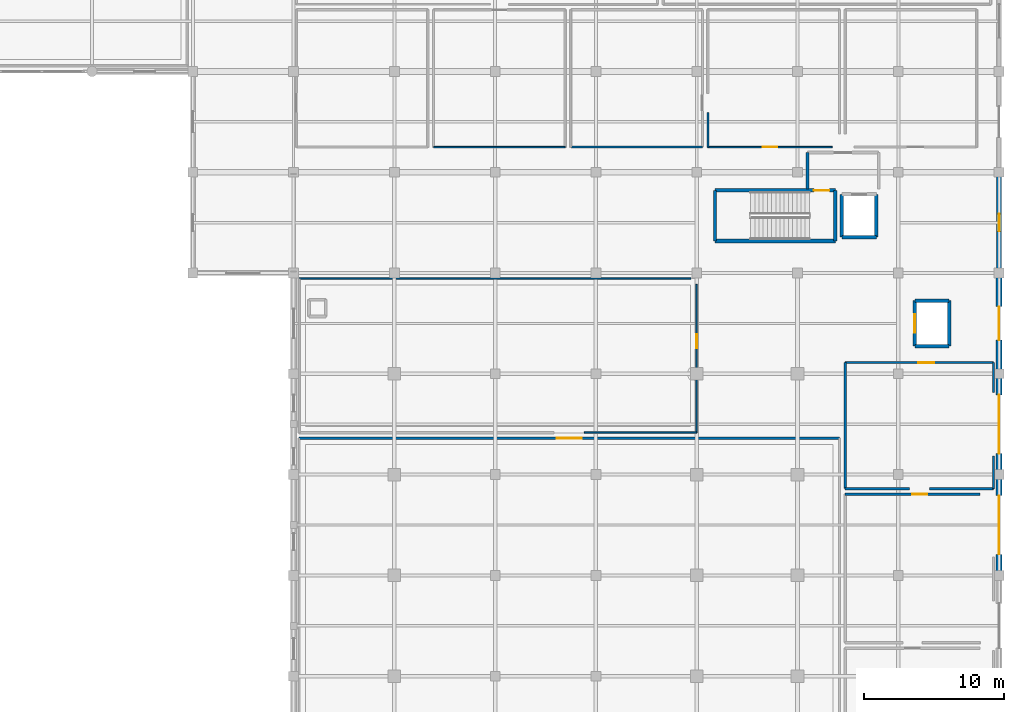
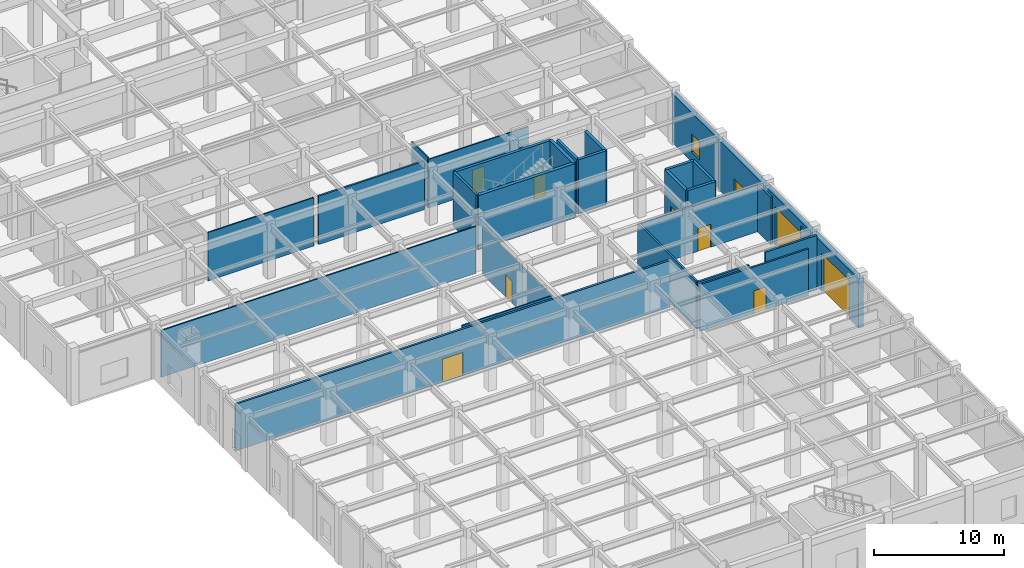
# One storey, part 81 of 102: 31 walls, 10 doors, 1 window, 11 openings.
"""IFC4 building model written with IfcOpenShell, lengths in metres."""

from ifc_helpers import new_model, si_unit, direction, frame, frame_2d, origin, place, context, subcontext, project, spatial, rectangle, extrude, material, layer, layer_set, type_object, element, fill, save


model = new_model("IFC4")

# Units and contexts
model_context = context("Model", 3, precision=1e-05, world=origin(), true_north=direction((0.0, 1.0)))
body_context = subcontext(model_context, "Body", "Model", "MODEL_VIEW")
ifc_project = project(units=[si_unit("LENGTHUNIT", "METRE"), si_unit("AREAUNIT", "SQUARE_METRE"), si_unit("VOLUMEUNIT", "CUBIC_METRE"), si_unit("PLANEANGLEUNIT", "RADIAN"), si_unit("MASSUNIT", "GRAM", prefix="KILO")], contexts=[model_context])

# Site, building, storey
site_placement = place(None, origin())
site = spatial("IfcSite", under=ifc_project, at=site_placement, CompositionType="ELEMENT")
building_placement = place(site_placement, origin())
building = spatial("IfcBuilding", under=site, at=building_placement, Name="Carrowvane Square Congress Hotel", CompositionType="ELEMENT")
storey_placement = place(building_placement, origin())
storey = spatial("IfcBuildingStorey", under=building, at=storey_placement, Name="L00", CompositionType="ELEMENT", Elevation=0.0)

# Wall, opening, door
ifc_material_1 = material(Name="Portland limestone cladding", Category="masonry")
ifc_layer_1 = layer(ifc_material_1, 0.419921875)
ifc_layer_set_1 = layer_set([ifc_layer_1], Name="Portland limestone cladding")
wall_type_1 = type_object("IfcWallType", Name="WL-EXT-LS420", PredefinedType="STANDARD", material=ifc_layer_set_1)
wall_1_placement = place(storey_placement, frame((184.39990234375, 55.800048828125, 0.0), z_axis=(0.0, 0.0, 1.0), x_axis=(0.0, -1.0, 0.0)))
wall_1 = element("IfcWall", 1, at=wall_1_placement, inside=storey, type_object=wall_type_1, Name="L00 exterior facade wall 165", PredefinedType="STANDARD", context=body_context, shape_type="SweptSolid", body=[
    extrude(rectangle(XDim=7.199951171875, YDim=0.419921875, at=frame_2d((3.60009765625, 0.0))), origin(), (0.0, 0.0, 1.0), 4.625),
])
opening_1_placement = place(wall_1_placement, frame((2.39990234375, 0.0, 0.0)))
opening_1 = element("IfcOpeningElement", 2, at=opening_1_placement, cuts=wall_1, Name="Opening ED-3", PredefinedType="OPENING", context=body_context, shape_type="SweptSolid", body=[
    extrude(rectangle(XDim=2.39990234375, YDim=2.39990234375, at=frame_2d((1.199951171875, 1.199951171875))), frame((0.0, 0.219970703125, 0.0), z_axis=(0.0, -1.0, 0.0), x_axis=(1.0, 0.0, 0.0)), (0.0, 0.0, 1.0), 0.43994140625),
])
ifc_material_2 = material(Name="Anodised aluminium", Category="aluminium")
door_type_1 = type_object("IfcDoorType", Name="DR-EXIT-2400", OperationType="DOUBLE_DOOR_SINGLE_SWING", PredefinedType="DOOR", material=ifc_material_2)
door_1_placement = place(opening_1_placement, origin())
door_1 = element("IfcDoor", 3, at=door_1_placement, inside=storey, type_object=door_type_1, Name="L00 final exit door ED-20", OperationType="DOUBLE_DOOR_SINGLE_SWING", OverallHeight=2.39990234375, OverallWidth=2.39990234375, PredefinedType="DOOR", context=body_context, shape_type="SweptSolid", body=[
    extrude(rectangle(XDim=2.39990234375, YDim=2.39990234375, at=frame_2d((1.199951171875, 1.199951171875))), frame((0.0, 0.02490234375, 0.0), z_axis=(0.0, -1.0, 0.0), x_axis=(1.0, 0.0, 0.0)), (0.0, 0.0, 1.0), 0.050048828125),
])
fill(opening_1, door_1)

wall_2_placement = place(storey_placement, frame((184.39990234375, 48.60009765625, 0.0), z_axis=(0.0, 0.0, 1.0), x_axis=(0.0, -1.0, 0.0)))
wall_2 = element("IfcWall", 4, at=wall_2_placement, inside=storey, type_object=wall_type_1, Name="L00 exterior facade wall 166", PredefinedType="STANDARD", context=body_context, shape_type="SweptSolid", body=[
    extrude(rectangle(XDim=7.2001953125, YDim=0.419921875, at=frame_2d((3.60009765625, 0.0))), origin(), (0.0, 0.0, 1.0), 4.625),
])
opening_2_placement = place(wall_2_placement, frame((1.5, 0.0, 0.0)))
opening_2 = element("IfcOpeningElement", 5, at=opening_2_placement, cuts=wall_2, Name="Opening VG-2", PredefinedType="OPENING", context=body_context, shape_type="SweptSolid", body=[
    extrude(rectangle(XDim=4.199951171875, YDim=3.60009765625, at=frame_2d((2.10009765625, 1.800048828125))), frame((0.0, 0.219970703125, 0.0), z_axis=(0.0, -1.0, 0.0), x_axis=(1.0, 0.0, 0.0)), (0.0, 0.0, 1.0), 0.43994140625),
])
ifc_material_3 = material(Name="Galvanised steel", Category="steel")
door_type_2 = type_object("IfcDoorType", Name="DR-GATE-4200", OperationType="ROLLINGUP", PredefinedType="GATE", material=ifc_material_3)
door_2_placement = place(opening_2_placement, origin())
door_2 = element("IfcDoor", 6, at=door_2_placement, inside=storey, type_object=door_type_2, Name="L00 goods service shutter 2", OperationType="ROLLINGUP", OverallHeight=3.60009765625, OverallWidth=4.199951171875, PredefinedType="GATE", context=body_context, shape_type="SweptSolid", body=[
    extrude(rectangle(XDim=4.199951171875, YDim=3.60009765625, at=frame_2d((2.10009765625, 1.800048828125))), frame((0.0, 0.02490234375, 0.0), z_axis=(0.0, -1.0, 0.0), x_axis=(1.0, 0.0, 0.0)), (0.0, 0.0, 1.0), 0.050048828125),
])
fill(opening_2, door_2)

wall_3_placement = place(storey_placement, frame((184.39990234375, 41.39990234375, 0.0), z_axis=(0.0, 0.0, 1.0), x_axis=(0.0, -1.0, 0.0)))
wall_3 = element("IfcWall", 7, at=wall_3_placement, inside=storey, type_object=wall_type_1, Name="L00 exterior facade wall 167", PredefinedType="STANDARD", context=body_context, shape_type="SweptSolid", body=[
    extrude(rectangle(XDim=7.199951171875, YDim=0.419921875, at=frame_2d((3.60009765625, 0.0))), origin(), (0.0, 0.0, 1.0), 4.625),
])
opening_3_placement = place(wall_3_placement, frame((1.5, 0.0, 0.0)))
opening_3 = element("IfcOpeningElement", 8, at=opening_3_placement, cuts=wall_3, Name="Opening VG-2", PredefinedType="OPENING", context=body_context, shape_type="SweptSolid", body=[
    extrude(rectangle(XDim=4.199951171875, YDim=3.60009765625, at=frame_2d((2.10009765625, 1.800048828125))), frame((0.0, 0.219970703125, 0.0), z_axis=(0.0, -1.0, 0.0), x_axis=(1.0, 0.0, 0.0)), (0.0, 0.0, 1.0), 0.43994140625),
])
door_3_placement = place(opening_3_placement, origin())
door_3 = element("IfcDoor", 9, at=door_3_placement, inside=storey, type_object=door_type_2, Name="L00 goods service shutter 3", OperationType="ROLLINGUP", OverallHeight=3.60009765625, OverallWidth=4.199951171875, PredefinedType="GATE", context=body_context, shape_type="SweptSolid", body=[
    extrude(rectangle(XDim=4.199951171875, YDim=3.60009765625, at=frame_2d((2.10009765625, 1.800048828125))), frame((0.0, 0.02490234375, 0.0), z_axis=(0.0, -1.0, 0.0), x_axis=(1.0, 0.0, 0.0)), (0.0, 0.0, 1.0), 0.050048828125),
])
fill(opening_3, door_3)

# Wall, opening, window
ifc_material_4 = material(Name="Glazed terracotta rainscreen", Category="masonry")
ifc_layer_2 = layer(ifc_material_4, 0.360107421875)
ifc_layer_set_2 = layer_set([ifc_layer_2], Name="Glazed terracotta rainscreen")
wall_type_2 = type_object("IfcWallType", Name="WL-EXT-TC360", PredefinedType="STANDARD", material=ifc_layer_set_2)
wall_4_placement = place(storey_placement, frame((184.39990234375, 63.0, 0.0), z_axis=(0.0, 0.0, 1.0), x_axis=(0.0, -1.0, 0.0)))
wall_4 = element("IfcWall", 10, at=wall_4_placement, inside=storey, type_object=wall_type_2, Name="L00 exterior facade wall 164", PredefinedType="STANDARD", context=body_context, shape_type="SweptSolid", body=[
    extrude(rectangle(XDim=7.199951171875, YDim=0.360107421875, at=frame_2d((3.60009765625, 0.0))), origin(), (0.0, 0.0, 1.0), 4.625),
])
opening_4_placement = place(wall_4_placement, frame((2.97509765625, 0.0, 0.89990234375)))
opening_4 = element("IfcOpeningElement", 11, at=opening_4_placement, cuts=wall_4, Name="Opening W-21", PredefinedType="OPENING", context=body_context, shape_type="SweptSolid", body=[
    extrude(rectangle(XDim=1.25, YDim=1.75, at=frame_2d((0.625, 0.875))), frame((0.0, 0.18994140625, 0.0), z_axis=(0.0, -1.0, 0.0), x_axis=(1.0, 0.0, 0.0)), (0.0, 0.0, 1.0), 0.380126953125),
])
ifc_material_5 = material(Name="Double-glazed low-E glass", Category="glass")
window_type = type_object("IfcWindowType", Name="WIN-21", PartitioningType="SINGLE_PANEL", PredefinedType="WINDOW", material=ifc_material_5)
window_placement = place(opening_4_placement, origin())
window = element("IfcWindow", 12, at=window_placement, inside=storey, type_object=window_type, Name="L00 facade window 7", OverallHeight=1.75, OverallWidth=1.25, PartitioningType="SINGLE_PANEL", PredefinedType="WINDOW", context=body_context, shape_type="SweptSolid", body=[
    extrude(rectangle(XDim=1.25, YDim=1.75, at=frame_2d((0.625, 0.875))), frame((0.0, 0.030029296875, 0.0), z_axis=(0.0, -1.0, 0.0), x_axis=(1.0, 0.0, 0.0)), (0.0, 0.0, 1.0), 0.06005859375),
])
fill(opening_4, window)

# Wall, opening, door
ifc_material_6 = material(Name="Acoustic gypsum board", Category="gypsum")
ifc_layer_3 = layer(ifc_material_6, 0.155029296875)
ifc_layer_set_3 = layer_set([ifc_layer_3], Name="Acoustic gypsum board")
wall_type_3 = type_object("IfcWallType", Name="WL-FIR-155", PredefinedType="PARTITIONING", material=ifc_layer_set_3)
wall_5_placement = place(storey_placement, frame((173.39990234375, 40.0, 0.0), z_axis=(0.0, 0.0, 1.0), x_axis=(1.0, 0.0, 0.0)))
wall_5 = element("IfcWall", 13, at=wall_5_placement, inside=storey, type_object=wall_type_3, Name="L00 Refuse and Recycling Store partition", PredefinedType="PARTITIONING", context=body_context, shape_type="SweptSolid", body=[
    extrude(rectangle(XDim=9.650146484375, YDim=0.155029296875, at=frame_2d((4.8251953125, 0.0))), origin(), (0.0, 0.0, 1.0), 4.3974609375),
])
opening_5_placement = place(wall_5_placement, frame((4.784912109375, 0.0, 0.0)))
opening_5 = element("IfcOpeningElement", 14, at=opening_5_placement, cuts=wall_5, Name="Opening ID-08", PredefinedType="OPENING", context=body_context, shape_type="SweptSolid", body=[
    extrude(rectangle(XDim=1.080078125, YDim=2.14990234375, at=frame_2d((0.5400390625, 1.074951171875))), frame((0.0, 0.08740234375, 0.0), z_axis=(0.0, -1.0, 0.0), x_axis=(1.0, 0.0, 0.0)), (0.0, 0.0, 1.0), 0.175048828125),
])
ifc_material_7 = material(Name="European oak timber", Category="wood")
door_type_3 = type_object("IfcDoorType", Name="DR-INT-1080x2150", OperationType="NOTDEFINED", PredefinedType="DOOR", material=ifc_material_7)
door_4_placement = place(opening_5_placement, origin())
door_4 = element("IfcDoor", 15, at=door_4_placement, inside=storey, type_object=door_type_3, Name="L00 Refuse and Recycling Store entrance door", OperationType="SINGLE_SWING_LEFT", OverallHeight=2.14990234375, OverallWidth=1.080078125, PredefinedType="DOOR", context=body_context, shape_type="SweptSolid", body=[
    extrude(rectangle(XDim=1.080078125, YDim=2.14990234375, at=frame_2d((0.5400390625, 1.074951171875))), frame((0.0, 0.02490234375, 0.0), z_axis=(0.0, -1.0, 0.0), x_axis=(1.0, 0.0, 0.0)), (0.0, 0.0, 1.0), 0.050048828125),
])
fill(opening_5, door_4)

wall_6_placement = place(storey_placement, frame((173.39990234375, 49.39990234375, 0.0), z_axis=(0.0, 0.0, 1.0), x_axis=(1.0, 0.0, 0.0)))
wall_6 = element("IfcWall", 16, at=wall_6_placement, inside=storey, type_object=wall_type_3, Name="L00 Exhibition Furniture Store partition", PredefinedType="PARTITIONING", context=body_context, shape_type="SweptSolid", body=[
    extrude(rectangle(XDim=10.60009765625, YDim=0.155029296875, at=frame_2d((5.300048828125, 0.0))), origin(), (0.0, 0.0, 1.0), 4.3974609375),
])
opening_6_placement = place(wall_6_placement, frame((5.22509765625, 0.0, 0.0)))
opening_6 = element("IfcOpeningElement", 17, at=opening_6_placement, cuts=wall_6, Name="Opening ID-09", PredefinedType="OPENING", context=body_context, shape_type="SweptSolid", body=[
    extrude(rectangle(XDim=1.14990234375, YDim=2.14990234375, at=frame_2d((0.574951171875, 1.074951171875))), frame((0.0, 0.08740234375, 0.0), z_axis=(0.0, -1.0, 0.0), x_axis=(1.0, 0.0, 0.0)), (0.0, 0.0, 1.0), 0.175048828125),
])
ifc_material_8 = material(Name="European oak timber", Category="wood")
door_type_4 = type_object("IfcDoorType", Name="DR-INT-1150x2150", OperationType="NOTDEFINED", PredefinedType="DOOR", material=ifc_material_8)
door_5_placement = place(opening_6_placement, origin())
door_5 = element("IfcDoor", 18, at=door_5_placement, inside=storey, type_object=door_type_4, Name="L00 Exhibition Furniture Store entrance door", OperationType="SINGLE_SWING_RIGHT", OverallHeight=2.14990234375, OverallWidth=1.14990234375, PredefinedType="DOOR", context=body_context, shape_type="SweptSolid", body=[
    extrude(rectangle(XDim=1.14990234375, YDim=2.14990234375, at=frame_2d((0.574951171875, 1.074951171875))), frame((0.0, 0.02490234375, 0.0), z_axis=(0.0, -1.0, 0.0), x_axis=(1.0, 0.0, 0.0)), (0.0, 0.0, 1.0), 0.050048828125),
])
fill(opening_6, door_5)

# Walls
wall_7_placement = place(storey_placement, frame((163.199951171875, 64.800048828125, 0.0), z_axis=(0.0, 0.0, 1.0), x_axis=(-1.0, 0.0, 0.0)))
element("IfcWall", 19, at=wall_7_placement, inside=storey, type_object=wall_type_3, Name="L00 Syndicate Meeting Room G03 partition", PredefinedType="PARTITIONING", context=body_context, shape_type="SweptSolid", body=[
    extrude(rectangle(XDim=9.39990234375, YDim=0.155029296875, at=frame_2d((4.699951171875, 0.0))), origin(), (0.0, 0.0, 1.0), 4.54833984375),
])
ifc_material_9 = material(Name="Acoustic gypsum board", Category="gypsum")
ifc_layer_4 = layer(ifc_material_9, 0.169921875)
ifc_layer_set_4 = layer_set([ifc_layer_4], Name="Acoustic gypsum board")
wall_type_4 = type_object("IfcWallType", Name="WL-FIR-170", PredefinedType="PARTITIONING", material=ifc_layer_set_4)
wall_8_placement = place(storey_placement, frame((173.39990234375, 40.39990234375, 0.0), z_axis=(0.0, 0.0, 1.0), x_axis=(0.0, 1.0, 0.0)))
element("IfcWall", 20, at=wall_8_placement, inside=storey, type_object=wall_type_4, Name="L00 Exhibition Furniture Store partition", PredefinedType="PARTITIONING", context=body_context, shape_type="SweptSolid", body=[
    extrude(rectangle(XDim=9.0, YDim=0.169921875, at=frame_2d((4.5, 0.0))), origin(), (0.0, 0.0, 1.0), 4.472900390625),
])
wall_9_placement = place(storey_placement, frame((178.0048828125, 40.39990234375, 0.0), z_axis=(0.0, 0.0, 1.0), x_axis=(-1.0, 0.0, 0.0)))
element("IfcWall", 21, at=wall_9_placement, inside=storey, type_object=wall_type_4, Name="L00 Exhibition Furniture Store partition", PredefinedType="PARTITIONING", context=body_context, shape_type="SweptSolid", body=[
    extrude(rectangle(XDim=4.60498046875, YDim=0.169921875, at=frame_2d((2.302490234375, 0.0))), origin(), (0.0, 0.0, 1.0), 4.3974609375),
])

# Wall, opening, door
ifc_material_10 = material(Name="Acoustic gypsum board", Category="gypsum")
ifc_layer_5 = layer(ifc_material_10, 0.18505859375)
ifc_layer_set_5 = layer_set([ifc_layer_5], Name="Acoustic gypsum board")
wall_type_5 = type_object("IfcWallType", Name="WL-FIR-185", PredefinedType="PARTITIONING", material=ifc_layer_set_5)
wall_10_placement = place(storey_placement, frame((134.39990234375, 44.0, 0.0), z_axis=(0.0, 0.0, 1.0), x_axis=(1.0, 0.0, 0.0)))
wall_10 = element("IfcWall", 22, at=wall_10_placement, inside=storey, type_object=wall_type_5, Name="L00 Exhibition Concourse and Trade Hall partition", PredefinedType="PARTITIONING", context=body_context, shape_type="SweptSolid", body=[
    extrude(rectangle(XDim=38.60009765625, YDim=0.18505859375, at=frame_2d((19.300048828125, 0.0))), origin(), (0.0, 0.0, 1.0), 4.3974609375),
])
opening_7_placement = place(wall_10_placement, frame((18.39990234375, 0.0, 0.0)))
opening_7 = element("IfcOpeningElement", 23, at=opening_7_placement, cuts=wall_10, Name="Opening FD-05", PredefinedType="OPENING", context=body_context, shape_type="SweptSolid", body=[
    extrude(rectangle(XDim=1.800048828125, YDim=2.199951171875, at=frame_2d((0.89990234375, 1.10009765625))), frame((0.0, 0.1025390625, 0.0), z_axis=(0.0, -1.0, 0.0), x_axis=(1.0, 0.0, 0.0)), (0.0, 0.0, 1.0), 0.205078125),
])
ifc_material_11 = material(Name="European oak timber", Category="wood")
door_type_5 = type_object("IfcDoorType", Name="DR-FD60-1800x2200", OperationType="DOUBLE_DOOR_SINGLE_SWING", PredefinedType="DOOR", material=ifc_material_11)
door_6_placement = place(opening_7_placement, origin())
door_6 = element("IfcDoor", 24, at=door_6_placement, inside=storey, type_object=door_type_5, Name="L00 Exhibition Concourse and Trade Hall entrance door", OperationType="DOUBLE_DOOR_SINGLE_SWING", OverallHeight=2.199951171875, OverallWidth=1.800048828125, PredefinedType="DOOR", context=body_context, shape_type="SweptSolid", body=[
    extrude(rectangle(XDim=1.800048828125, YDim=2.199951171875, at=frame_2d((0.89990234375, 1.10009765625))), frame((0.0, 0.02490234375, 0.0), z_axis=(0.0, -1.0, 0.0), x_axis=(1.0, 0.0, 0.0)), (0.0, 0.0, 1.0), 0.050048828125),
])
fill(opening_7, door_6)

# Walls
wall_11_placement = place(storey_placement, frame((184.0, 40.39990234375, 0.0), z_axis=(0.0, 0.0, 1.0), x_axis=(-1.0, 0.0, 0.0)))
element("IfcWall", 25, at=wall_11_placement, inside=storey, type_object=wall_type_5, Name="L00 Exhibition Furniture Store partition", PredefinedType="PARTITIONING", context=body_context, shape_type="SweptSolid", body=[
    extrude(rectangle(XDim=4.554931640625, YDim=0.18505859375, at=frame_2d((2.27734375, 0.0))), origin(), (0.0, 0.0, 1.0), 5.10009765625),
])
ifc_material_12 = material(Name="Acoustic gypsum board", Category="gypsum")
ifc_layer_6 = layer(ifc_material_12, 0.205078125)
ifc_layer_set_6 = layer_set([ifc_layer_6], Name="Acoustic gypsum board")
wall_type_6 = type_object("IfcWallType", Name="WL-FIR-205", PredefinedType="PARTITIONING", material=ifc_layer_set_6)
wall_12_placement = place(storey_placement, frame((170.699951171875, 64.39990234375, 0.0), z_axis=(0.0, 0.0, 1.0), x_axis=(0.0, -1.0, 0.0)))
element("IfcWall", 26, at=wall_12_placement, inside=storey, type_object=wall_type_6, Name="L00 Firefighting Lobby C4 wall west", PredefinedType="PARTITIONING", context=body_context, shape_type="SweptSolid", body=[
    extrude(rectangle(XDim=2.599853515625, YDim=0.205078125, at=frame_2d((1.2998046875, 0.0))), origin(), (0.0, 0.0, 1.0), 4.43505859375),
])
ifc_material_13 = material(Name="European oak timber", Category="wood")
ifc_layer_7 = layer(ifc_material_13, 0.1220703125)
ifc_layer_set_7 = layer_set([ifc_layer_7], Name="European oak timber")
wall_type_7 = type_object("IfcWallType", Name="WL-MOV-122", PredefinedType="MOVABLE", material=ifc_layer_set_7)
wall_13_placement = place(storey_placement, frame((163.60009765625, 64.800048828125, 0.0), z_axis=(0.0, 0.0, 1.0), x_axis=(0.0, 1.0, 0.0)))
element("IfcWall", 27, at=wall_13_placement, inside=storey, type_object=wall_type_7, Name="L00 Syndicate Meeting Room G04 partition", PredefinedType="MOVABLE", context=body_context, shape_type="SweptSolid", body=[
    extrude(rectangle(XDim=2.46484375, YDim=0.1220703125, at=frame_2d((1.232421875, 0.0))), origin(), (0.0, 0.0, 1.0), 4.72705078125),
])
ifc_material_14 = material(Name="Acoustic gypsum board", Category="gypsum")
ifc_layer_8 = layer(ifc_material_14, 0.097900390625)
ifc_layer_set_8 = layer_set([ifc_layer_8], Name="Acoustic gypsum board")
wall_type_8 = type_object("IfcWallType", Name="WL-PRT-098", PredefinedType="PARTITIONING", material=ifc_layer_set_8)
wall_14_placement = place(storey_placement, frame((162.800048828125, 44.39990234375, 0.0), z_axis=(0.0, 0.0, 1.0), x_axis=(-1.0, 0.0, 0.0)))
element("IfcWall", 28, at=wall_14_placement, inside=storey, type_object=wall_type_8, Name="L00 Central Banqueting Production Kitchen partition", PredefinedType="PARTITIONING", context=body_context, shape_type="SweptSolid", body=[
    extrude(rectangle(XDim=8.02001953125, YDim=0.097900390625, at=frame_2d((4.010009765625, 0.0))), origin(), (0.0, 0.0, 1.0), 4.3974609375),
])

# Wall, opening, door
ifc_material_15 = material(Name="Acoustic gypsum board", Category="gypsum")
ifc_layer_9 = layer(ifc_material_15, 0.10791015625)
ifc_layer_set_9 = layer_set([ifc_layer_9], Name="Acoustic gypsum board")
wall_type_9 = type_object("IfcWallType", Name="WL-PRT-108", PredefinedType="PARTITIONING", material=ifc_layer_set_9)
wall_15_placement = place(storey_placement, frame((162.800048828125, 54.989990234375, 0.0), z_axis=(0.0, 0.0, 1.0), x_axis=(0.0, -1.0, 0.0)))
wall_15 = element("IfcWall", 29, at=wall_15_placement, inside=storey, type_object=wall_type_9, Name="L00 Central Banqueting Production Kitchen partition", PredefinedType="PARTITIONING", context=body_context, shape_type="SweptSolid", body=[
    extrude(rectangle(XDim=10.590087890625, YDim=0.10791015625, at=frame_2d((5.294921875, 0.0))), origin(), (0.0, 0.0, 1.0), 4.3974609375),
])
opening_8_placement = place(wall_15_placement, frame((3.544921875, 0.0, 0.0)))
opening_8 = element("IfcOpeningElement", 30, at=opening_8_placement, cuts=wall_15, Name="Opening ID-06", PredefinedType="OPENING", context=body_context, shape_type="SweptSolid", body=[
    extrude(rectangle(XDim=1.0, YDim=2.10009765625, at=frame_2d((0.5, 1.050048828125))), frame((0.0, 0.06396484375, 0.0), z_axis=(0.0, -1.0, 0.0), x_axis=(1.0, 0.0, 0.0)), (0.0, 0.0, 1.0), 0.1279296875),
])
ifc_material_16 = material(Name="European oak timber", Category="wood")
door_type_6 = type_object("IfcDoorType", Name="DR-INT-1000x2100", OperationType="NOTDEFINED", PredefinedType="DOOR", material=ifc_material_16)
door_7_placement = place(opening_8_placement, origin())
door_7 = element("IfcDoor", 31, at=door_7_placement, inside=storey, type_object=door_type_6, Name="L00 Central Banqueting Production Kitchen entrance door", OperationType="SINGLE_SWING_LEFT", OverallHeight=2.10009765625, OverallWidth=1.0, PredefinedType="DOOR", context=body_context, shape_type="SweptSolid", body=[
    extrude(rectangle(XDim=1.0, YDim=2.10009765625, at=frame_2d((0.5, 1.050048828125))), frame((0.0, 0.02490234375, 0.0), z_axis=(0.0, -1.0, 0.0), x_axis=(1.0, 0.0, 0.0)), (0.0, 0.0, 1.0), 0.050048828125),
])
fill(opening_8, door_7)

# Wall
wall_16_placement = place(storey_placement, frame((153.39990234375, 64.800048828125, 0.0), z_axis=(0.0, 0.0, 1.0), x_axis=(-1.0, 0.0, 0.0)))
element("IfcWall", 32, at=wall_16_placement, inside=storey, type_object=wall_type_9, Name="L00 Syndicate Meeting Room G02 partition", PredefinedType="PARTITIONING", context=body_context, shape_type="SweptSolid", body=[
    extrude(rectangle(XDim=9.39990234375, YDim=0.10791015625, at=frame_2d((4.699951171875, 0.0))), origin(), (0.0, 0.0, 1.0), 4.54833984375),
])

# Wall, opening, door
wall_17_placement = place(storey_placement, frame((172.469970703125, 64.800048828125, 0.0), z_axis=(0.0, 0.0, 1.0), x_axis=(-1.0, 0.0, 0.0)))
wall_17 = element("IfcWall", 33, at=wall_17_placement, inside=storey, type_object=wall_type_9, Name="L00 Syndicate Meeting Room G04 partition", PredefinedType="PARTITIONING", context=body_context, shape_type="SweptSolid", body=[
    extrude(rectangle(XDim=8.869873046875, YDim=0.10791015625, at=frame_2d((4.43505859375, 0.0))), origin(), (0.0, 0.0, 1.0), 4.54833984375),
])
opening_9_placement = place(wall_17_placement, frame((3.909912109375, 0.0, 0.0)))
opening_9 = element("IfcOpeningElement", 34, at=opening_9_placement, cuts=wall_17, Name="Opening ID-21", PredefinedType="OPENING", context=body_context, shape_type="SweptSolid", body=[
    extrude(rectangle(XDim=1.050048828125, YDim=2.179931640625, at=frame_2d((0.52490234375, 1.08984375))), frame((0.0, 0.06396484375, 0.0), z_axis=(0.0, -1.0, 0.0), x_axis=(1.0, 0.0, 0.0)), (0.0, 0.0, 1.0), 0.1279296875),
])
ifc_material_17 = material(Name="European oak timber", Category="wood")
door_type_7 = type_object("IfcDoorType", Name="DR-INT-1050x2180", OperationType="NOTDEFINED", PredefinedType="DOOR", material=ifc_material_17)
door_8_placement = place(opening_9_placement, origin())
door_8 = element("IfcDoor", 35, at=door_8_placement, inside=storey, type_object=door_type_7, Name="L00 Syndicate Meeting Room G04 entrance door", OperationType="SINGLE_SWING_RIGHT", OverallHeight=2.179931640625, OverallWidth=1.050048828125, PredefinedType="DOOR", context=body_context, shape_type="SweptSolid", body=[
    extrude(rectangle(XDim=1.050048828125, YDim=2.179931640625, at=frame_2d((0.52490234375, 1.08984375))), frame((0.0, 0.02490234375, 0.0), z_axis=(0.0, -1.0, 0.0), x_axis=(1.0, 0.0, 0.0)), (0.0, 0.0, 1.0), 0.050048828125),
])
fill(opening_9, door_8)

# Walls
ifc_material_18 = material(Name="Acoustic gypsum board", Category="gypsum")
ifc_layer_10 = layer(ifc_material_18, 0.117919921875)
ifc_layer_set_10 = layer_set([ifc_layer_10], Name="Acoustic gypsum board")
wall_type_10 = type_object("IfcWallType", Name="WL-PRT-118", PredefinedType="PARTITIONING", material=ifc_layer_set_10)
wall_18_placement = place(storey_placement, frame((134.39990234375, 55.39990234375, 0.0), z_axis=(0.0, 0.0, 1.0), x_axis=(1.0, 0.0, 0.0)))
element("IfcWall", 36, at=wall_18_placement, inside=storey, type_object=wall_type_10, Name="L00 Central Banqueting Production Kitchen partition", PredefinedType="PARTITIONING", context=body_context, shape_type="SweptSolid", body=[
    extrude(rectangle(XDim=27.989990234375, YDim=0.117919921875, at=frame_2d((13.9951171875, 0.0))), origin(), (0.0, 0.0, 1.0), 4.3974609375),
])
ifc_material_19 = material(Name="Acoustic gypsum board", Category="gypsum")
ifc_layer_11 = layer(ifc_material_19, 0.137939453125)
ifc_layer_set_11 = layer_set([ifc_layer_11], Name="Acoustic gypsum board")
wall_type_11 = type_object("IfcWallType", Name="WL-PRT-138", PredefinedType="PARTITIONING", material=ifc_layer_set_11)
wall_19_placement = place(storey_placement, frame((184.0, 42.719970703125, 0.0), z_axis=(0.0, 0.0, 1.0), x_axis=(0.0, -1.0, 0.0)))
element("IfcWall", 37, at=wall_19_placement, inside=storey, type_object=wall_type_11, Name="L00 Exhibition Furniture Store partition", PredefinedType="PARTITIONING", context=body_context, shape_type="SweptSolid", body=[
    extrude(rectangle(XDim=2.320068359375, YDim=0.137939453125, at=frame_2d((1.16015625, 0.0))), origin(), (0.0, 0.0, 1.0), 4.472900390625),
])
ifc_material_20 = material(Name="Acoustic gypsum board", Category="gypsum")
ifc_layer_12 = layer(ifc_material_20, 0.14794921875)
ifc_layer_set_12 = layer_set([ifc_layer_12], Name="Acoustic gypsum board")
wall_type_12 = type_object("IfcWallType", Name="WL-PRT-148", PredefinedType="PARTITIONING", material=ifc_layer_set_12)
wall_20_placement = place(storey_placement, frame((184.0, 49.39990234375, 0.0), z_axis=(0.0, 0.0, 1.0), x_axis=(0.0, -1.0, 0.0)))
element("IfcWall", 38, at=wall_20_placement, inside=storey, type_object=wall_type_12, Name="L00 Exhibition Furniture Store partition", PredefinedType="PARTITIONING", context=body_context, shape_type="SweptSolid", body=[
    extrude(rectangle(XDim=2.119873046875, YDim=0.14794921875, at=frame_2d((1.06005859375, 0.0))), origin(), (0.0, 0.0, 1.0), 4.472900390625),
])
ifc_material_21 = material(Name="Concrete C40/50", Category="concrete")
ifc_layer_13 = layer(ifc_material_21, 0.22509765625)
ifc_layer_set_13 = layer_set([ifc_layer_13], Name="Concrete C40/50")
wall_type_13 = type_object("IfcWallType", Name="WL-SHR-225", PredefinedType="SHEAR", material=ifc_layer_set_13)
wall_21_placement = place(storey_placement, frame((164.10009765625, 61.699951171875, 0.0), z_axis=(0.0, 0.0, 1.0), x_axis=(0.0, -1.0, 0.0)))
element("IfcWall", 39, at=wall_21_placement, inside=storey, type_object=wall_type_13, Name="L00 ST4 core wall west", PredefinedType="SHEAR", context=body_context, shape_type="SweptSolid", body=[
    extrude(rectangle(XDim=3.599853515625, YDim=0.22509765625, at=frame_2d((1.7998046875, 0.0))), origin(), (0.0, 0.0, 1.0), 5.10009765625),
])

# Wall, opening, door
ifc_material_22 = material(Name="Concrete C40/50", Category="concrete")
ifc_layer_14 = layer(ifc_material_22, 0.25)
ifc_layer_set_14 = layer_set([ifc_layer_14], Name="Concrete C40/50")
wall_type_14 = type_object("IfcWallType", Name="WL-SHR-250", PredefinedType="SHEAR", material=ifc_layer_set_14)
wall_22_placement = place(storey_placement, frame((172.699951171875, 61.699951171875, 0.0), z_axis=(0.0, 0.0, 1.0), x_axis=(-1.0, 0.0, 0.0)))
wall_22 = element("IfcWall", 40, at=wall_22_placement, inside=storey, type_object=wall_type_14, Name="L00 ST4 core wall north", PredefinedType="SHEAR", context=body_context, shape_type="SweptSolid", body=[
    extrude(rectangle(XDim=8.599853515625, YDim=0.25, at=frame_2d((4.2998046875, 0.0))), origin(), (0.0, 0.0, 1.0), 5.10009765625),
])
opening_10_placement = place(wall_22_placement, frame((0.425048828125, 0.0, 0.0)))
opening_10 = element("IfcOpeningElement", 41, at=opening_10_placement, cuts=wall_22, Name="Opening FD-01", PredefinedType="OPENING", context=body_context, shape_type="SweptSolid", body=[
    extrude(rectangle(XDim=1.10009765625, YDim=2.10009765625, at=frame_2d((0.550048828125, 1.050048828125))), frame((0.0, 0.135009765625, 0.0), z_axis=(0.0, -1.0, 0.0), x_axis=(1.0, 0.0, 0.0)), (0.0, 0.0, 1.0), 0.27001953125),
])
ifc_material_23 = material(Name="European oak timber", Category="wood")
door_type_8 = type_object("IfcDoorType", Name="DR-FD60-1100x2100", OperationType="NOTDEFINED", PredefinedType="DOOR", material=ifc_material_23)
door_9_placement = place(opening_10_placement, origin())
door_9 = element("IfcDoor", 42, at=door_9_placement, inside=storey, type_object=door_type_8, Name="L00 ST4 fire door", OperationType="SINGLE_SWING_LEFT", OverallHeight=2.10009765625, OverallWidth=1.10009765625, PredefinedType="DOOR", context=body_context, shape_type="SweptSolid", body=[
    extrude(rectangle(XDim=1.10009765625, YDim=2.10009765625, at=frame_2d((0.550048828125, 1.050048828125))), frame((0.0, 0.02490234375, 0.0), z_axis=(0.0, -1.0, 0.0), x_axis=(1.0, 0.0, 0.0)), (0.0, 0.0, 1.0), 0.050048828125),
])
fill(opening_10, door_9)

# Walls
wall_23_placement = place(storey_placement, frame((173.175048828125, 58.375, 0.0), z_axis=(0.0, 0.0, 1.0), x_axis=(1.0, 0.0, 0.0)))
element("IfcWall", 43, at=wall_23_placement, inside=storey, type_object=wall_type_14, Name="L00 FFL-3 shaft wall south", PredefinedType="SHEAR", context=body_context, shape_type="SweptSolid", body=[
    extrude(rectangle(XDim=2.449951171875, YDim=0.25, at=frame_2d((1.22509765625, 0.0))), origin(), (0.0, 0.0, 1.0), 5.10009765625),
])
for number, where, z_axis, x_axis, name in (
    (44, (175.625, 58.375, 0.0), (0.0, 0.0, 1.0), (0.0, 1.0, 0.0), "L00 FFL-3 shaft wall east"),
    (45, (173.175048828125, 61.425048828125, 0.0), (0.0, 0.0, 1.0), (0.0, -1.0, 0.0), "L00 FFL-3 shaft wall west"),
):
    element("IfcWall", number, at=place(storey_placement, frame(where, z_axis=z_axis, x_axis=x_axis)), inside=storey, type_object=wall_type_14, Name=name, PredefinedType="SHEAR", context=body_context, shape_type="SweptSolid", body=[
        extrude(rectangle(XDim=3.050048828125, YDim=0.25, at=frame_2d((1.52490234375, 0.0))), origin(), (0.0, 0.0, 1.0), 5.10009765625),
    ])
wall_24_placement = place(storey_placement, frame((178.375, 50.574951171875, 0.0), z_axis=(0.0, 0.0, 1.0), x_axis=(1.0, 0.0, 0.0)))
element("IfcWall", 46, at=wall_24_placement, inside=storey, type_object=wall_type_14, Name="L00 GL-1 shaft wall south", PredefinedType="SHEAR", context=body_context, shape_type="SweptSolid", body=[
    extrude(rectangle(XDim=2.449951171875, YDim=0.25, at=frame_2d((1.22509765625, 0.0))), origin(), (0.0, 0.0, 1.0), 5.10009765625),
])
wall_25_placement = place(storey_placement, frame((180.824951171875, 50.574951171875, 0.0), z_axis=(0.0, 0.0, 1.0), x_axis=(0.0, 1.0, 0.0)))
element("IfcWall", 47, at=wall_25_placement, inside=storey, type_object=wall_type_14, Name="L00 GL-1 shaft wall east", PredefinedType="SHEAR", context=body_context, shape_type="SweptSolid", body=[
    extrude(rectangle(XDim=3.25, YDim=0.25, at=frame_2d((1.625, 0.0))), origin(), (0.0, 0.0, 1.0), 5.10009765625),
])
wall_26_placement = place(storey_placement, frame((180.824951171875, 53.824951171875, 0.0), z_axis=(0.0, 0.0, 1.0), x_axis=(-1.0, 0.0, 0.0)))
element("IfcWall", 48, at=wall_26_placement, inside=storey, type_object=wall_type_14, Name="L00 GL-1 shaft wall north", PredefinedType="SHEAR", context=body_context, shape_type="SweptSolid", body=[
    extrude(rectangle(XDim=2.449951171875, YDim=0.25, at=frame_2d((1.22509765625, 0.0))), origin(), (0.0, 0.0, 1.0), 5.10009765625),
])

# Wall, opening, door
wall_27_placement = place(storey_placement, frame((178.375, 53.824951171875, 0.0), z_axis=(0.0, 0.0, 1.0), x_axis=(0.0, -1.0, 0.0)))
wall_27 = element("IfcWall", 49, at=wall_27_placement, inside=storey, type_object=wall_type_14, Name="L00 GL-1 shaft wall west", PredefinedType="SHEAR", context=body_context, shape_type="SweptSolid", body=[
    extrude(rectangle(XDim=3.25, YDim=0.25, at=frame_2d((1.625, 0.0))), origin(), (0.0, 0.0, 1.0), 5.10009765625),
])
opening_11_placement = place(wall_27_placement, frame((0.949951171875, 0.0, 0.0)))
opening_11 = element("IfcOpeningElement", 50, at=opening_11_placement, cuts=wall_27, Name="Opening LD-GL-1", PredefinedType="OPENING", context=body_context, shape_type="SweptSolid", body=[
    extrude(rectangle(XDim=1.35009765625, YDim=2.199951171875, at=frame_2d((0.675048828125, 1.10009765625))), frame((0.0, 0.135009765625, 0.0), z_axis=(0.0, -1.0, 0.0), x_axis=(1.0, 0.0, 0.0)), (0.0, 0.0, 1.0), 0.27001953125),
])
ifc_material_24 = material(Name="Stainless steel 316", Category="steel")
door_type_9 = type_object("IfcDoorType", Name="DR-LD-1350x2200", OperationType="DOUBLE_DOOR_SLIDING", PredefinedType="DOOR", material=ifc_material_24)
door_10_placement = place(opening_11_placement, origin())
door_10 = element("IfcDoor", 51, at=door_10_placement, inside=storey, type_object=door_type_9, Name="L00 GL-1 sliding lift landing door", OperationType="DOUBLE_DOOR_SLIDING", OverallHeight=2.199951171875, OverallWidth=1.35009765625, PredefinedType="DOOR", context=body_context, shape_type="SweptSolid", body=[
    extrude(rectangle(XDim=1.35009765625, YDim=2.199951171875, at=frame_2d((0.675048828125, 1.10009765625))), frame((0.0, 0.02490234375, 0.0), z_axis=(0.0, -1.0, 0.0), x_axis=(1.0, 0.0, 0.0)), (0.0, 0.0, 1.0), 0.050048828125),
])
fill(opening_11, door_10)

# Walls
ifc_material_25 = material(Name="Concrete C40/50", Category="concrete")
ifc_layer_15 = layer(ifc_material_25, 0.27490234375)
ifc_layer_set_15 = layer_set([ifc_layer_15], Name="Concrete C40/50")
wall_type_15 = type_object("IfcWallType", Name="WL-SHR-275", PredefinedType="SHEAR", material=ifc_layer_set_15)
wall_28_placement = place(storey_placement, frame((172.699951171875, 58.10009765625, 0.0), z_axis=(0.0, 0.0, 1.0), x_axis=(0.0, 1.0, 0.0)))
element("IfcWall", 52, at=wall_28_placement, inside=storey, type_object=wall_type_15, Name="L00 ST4 core wall east", PredefinedType="SHEAR", context=body_context, shape_type="SweptSolid", body=[
    extrude(rectangle(XDim=3.599853515625, YDim=0.27490234375, at=frame_2d((1.7998046875, 0.0))), origin(), (0.0, 0.0, 1.0), 5.10009765625),
])
ifc_material_26 = material(Name="Concrete C40/50", Category="concrete")
ifc_layer_16 = layer(ifc_material_26, 0.300048828125)
ifc_layer_set_16 = layer_set([ifc_layer_16], Name="Concrete C40/50")
wall_type_16 = type_object("IfcWallType", Name="WL-SHR-300", PredefinedType="SHEAR", material=ifc_layer_set_16)
wall_29_placement = place(storey_placement, frame((164.10009765625, 58.10009765625, 0.0), z_axis=(0.0, 0.0, 1.0), x_axis=(1.0, 0.0, 0.0)))
element("IfcWall", 53, at=wall_29_placement, inside=storey, type_object=wall_type_16, Name="L00 ST4 core wall south", PredefinedType="SHEAR", context=body_context, shape_type="SweptSolid", body=[
    extrude(rectangle(XDim=8.599853515625, YDim=0.300048828125, at=frame_2d((4.2998046875, 0.0))), origin(), (0.0, 0.0, 1.0), 5.10009765625),
])

save(model, "model.ifc")
